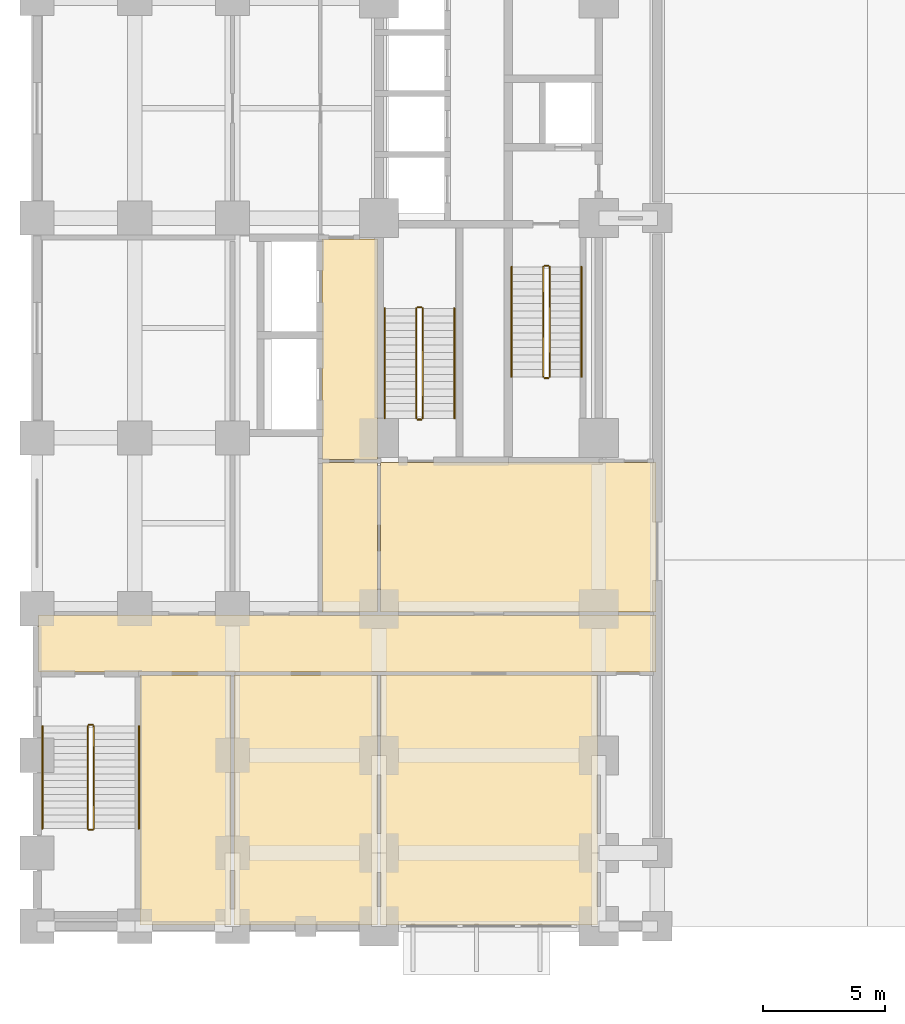
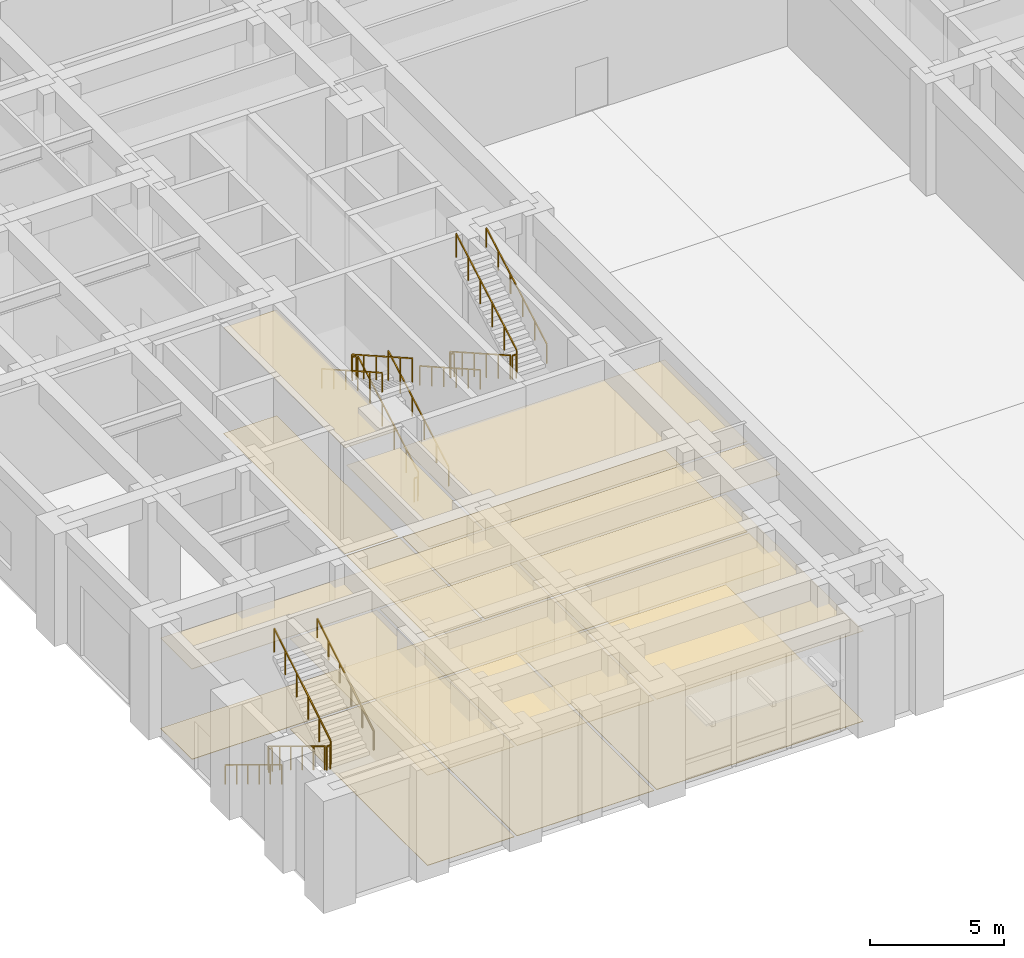
# One storey, part 14 of 20: 18 railings, 14 coverings.
"""IFC4 building model written with IfcOpenShell, lengths in metres."""

from ifc_helpers import new_model, si_unit, direction, frame, origin, origin_2d, place, context, subcontext, project, spatial, polyline, rectangle, outline, extrude, material, layer, layer_set, type_object, element, save


model = new_model("IFC4")

# Units and contexts
model_context = context("Model", 3, precision=1e-05, world=origin(), true_north=direction((0.0, 1.0)))
body_context = subcontext(model_context, "Body", "Model", "MODEL_VIEW")
ifc_project = project(units=[si_unit("LENGTHUNIT", "METRE"), si_unit("AREAUNIT", "SQUARE_METRE"), si_unit("VOLUMEUNIT", "CUBIC_METRE"), si_unit("PLANEANGLEUNIT", "RADIAN"), si_unit("MASSUNIT", "GRAM", prefix="KILO")], contexts=[model_context])

# Site, building, storey
site_placement = place(None, origin())
site = spatial("IfcSite", under=ifc_project, at=site_placement, CompositionType="ELEMENT")
building_placement = place(site_placement, origin())
building = spatial("IfcBuilding", under=site, at=building_placement, Name="Zulmaris Gate Convention Tower", CompositionType="ELEMENT")
storey_placement = place(building_placement, origin())
storey = spatial("IfcBuildingStorey", under=building, at=storey_placement, Name="L00", CompositionType="ELEMENT", Elevation=0.0)

# Coverings
ifc_material_1 = material(Name="Mineral Fibre Acoustic Ceiling Tile")
ifc_layer_1 = layer(ifc_material_1, 0.02001953125, Name="Mineral Fibre Acoustic Ceiling Tile")
ifc_layer_set_1 = layer_set([ifc_layer_1], Name="Mineral Fibre Acoustic Ceiling Tile")
covering_type_1 = type_object("IfcCoveringType", Name="CLG-ACOUSTIC-600", PredefinedType="CEILING", material=ifc_layer_set_1)
covering_1_placement = place(storey_placement, frame((0.0, 0.0, 4.809814453125)))
element("IfcCovering", 1, at=covering_1_placement, inside=storey, type_object=covering_type_1, Name="CLG-L00-R32", PredefinedType="CEILING", context=body_context, shape_type="SweptSolid", body=[
    extrude(outline(polyline([(-22.340087890625, -9.889892578125), (-20.06005859375, -9.889892578125), (-20.06005859375, -0.860107421875), (-22.340087890625, -0.860107421875), (-22.340087890625, -9.889892578125)])), origin(), (0.0, 0.0, 1.0), 0.02001953125),
])
covering_2_placement = place(storey_placement, frame((0.0, 0.0, 4.099853515625)))
element("IfcCovering", 2, at=covering_2_placement, inside=storey, type_object=covering_type_1, Name="CLG-L00-R46", PredefinedType="CEILING", context=body_context, shape_type="SweptSolid", body=[
    extrude(outline(polyline([(-22.340087890625, -16.139892578125), (-20.06005859375, -16.139892578125), (-20.06005859375, -10.010009765625), (-22.340087890625, -10.010009765625), (-22.340087890625, -16.139892578125)])), origin(), (0.0, 0.0, 1.0), 0.02001953125),
])
covering_3_placement = place(storey_placement, frame((0.0, 0.0, 4.099853515625)))
element("IfcCovering", 3, at=covering_3_placement, inside=storey, type_object=covering_type_1, Name="CLG-L00-R48", PredefinedType="CEILING", context=body_context, shape_type="SweptSolid", body=[
    extrude(outline(polyline([(-33.93994140625, -18.590087890625), (-8.659912109375, -18.590087890625), (-8.659912109375, -16.260009765625), (-33.93994140625, -16.260009765625), (-33.93994140625, -18.590087890625)])), origin(), (0.0, 0.0, 1.0), 0.02001953125),
])
covering_4_placement = place(storey_placement, frame((0.0, 0.0, 4.099853515625)))
element("IfcCovering", 4, at=covering_4_placement, inside=storey, type_object=covering_type_1, Name="CLG-L00-R50", PredefinedType="CEILING", context=body_context, shape_type="SweptSolid", body=[
    extrude(outline(polyline([(-19.93994140625, -16.139892578125), (-8.659912109375, -16.139892578125), (-8.659912109375, -10.010009765625), (-19.93994140625, -10.010009765625), (-19.93994140625, -16.139892578125)])), origin(), (0.0, 0.0, 1.0), 0.02001953125),
])
covering_5_placement = place(storey_placement, frame((0.0, 0.0, 4.099853515625)))
element("IfcCovering", 5, at=covering_5_placement, inside=storey, type_object=covering_type_1, Name="CLG-L00-R58", PredefinedType="CEILING", context=body_context, shape_type="SweptSolid", body=[
    extrude(outline(polyline([(-29.7900390625, -28.93994140625), (-26.06005859375, -28.93994140625), (-26.06005859375, -18.7099609375), (-29.7900390625, -18.7099609375), (-29.7900390625, -28.93994140625)])), origin(), (0.0, 0.0, 1.0), 0.02001953125),
])
covering_6_placement = place(storey_placement, frame((0.0, 0.0, 4.099853515625)))
element("IfcCovering", 6, at=covering_6_placement, inside=storey, type_object=covering_type_1, Name="CLG-L00-R59", PredefinedType="CEILING", context=body_context, shape_type="SweptSolid", body=[
    extrude(outline(polyline([(-25.93994140625, -28.93994140625), (-20.06005859375, -28.93994140625), (-20.06005859375, -18.7099609375), (-25.93994140625, -18.7099609375), (-25.93994140625, -28.93994140625)])), origin(), (0.0, 0.0, 1.0), 0.02001953125),
])
covering_7_placement = place(storey_placement, frame((0.0, 0.0, 4.099853515625)))
element("IfcCovering", 7, at=covering_7_placement, inside=storey, type_object=covering_type_1, Name="CLG-L00-R60", PredefinedType="CEILING", context=body_context, shape_type="SweptSolid", body=[
    extrude(outline(polyline([(-19.93994140625, -28.93994140625), (-11.06005859375, -28.93994140625), (-11.06005859375, -18.7099609375), (-19.93994140625, -18.7099609375), (-19.93994140625, -28.93994140625)])), origin(), (0.0, 0.0, 1.0), 0.02001953125),
])
ifc_material_2 = material(Name="Woven Acoustic Wool Carpet Tile")
ifc_layer_2 = layer(ifc_material_2, 0.02001953125, Name="Woven Acoustic Wool Carpet Tile")
ifc_layer_set_2 = layer_set([ifc_layer_2], Name="Woven Acoustic Wool Carpet Tile")
covering_type_2 = type_object("IfcCoveringType", Name="FLR-CARPET-12", PredefinedType="FLOORING", material=ifc_layer_set_2)
covering_8_placement = place(storey_placement, origin())
element("IfcCovering", 8, at=covering_8_placement, inside=storey, type_object=covering_type_2, Name="FLR-L00-R32", PredefinedType="FLOORING", context=body_context, shape_type="SweptSolid", body=[
    extrude(outline(polyline([(-22.340087890625, -9.889892578125), (-20.06005859375, -9.889892578125), (-20.06005859375, -0.860107421875), (-22.340087890625, -0.860107421875), (-22.340087890625, -9.889892578125)])), origin(), (0.0, 0.0, 1.0), 0.02001953125),
])
covering_9_placement = place(storey_placement, origin())
element("IfcCovering", 9, at=covering_9_placement, inside=storey, type_object=covering_type_2, Name="FLR-L00-R46", PredefinedType="FLOORING", context=body_context, shape_type="SweptSolid", body=[
    extrude(outline(polyline([(-22.340087890625, -16.139892578125), (-20.06005859375, -16.139892578125), (-20.06005859375, -10.010009765625), (-22.340087890625, -10.010009765625), (-22.340087890625, -16.139892578125)])), origin(), (0.0, 0.0, 1.0), 0.02001953125),
])
covering_10_placement = place(storey_placement, origin())
element("IfcCovering", 10, at=covering_10_placement, inside=storey, type_object=covering_type_2, Name="FLR-L00-R48", PredefinedType="FLOORING", context=body_context, shape_type="SweptSolid", body=[
    extrude(outline(polyline([(-33.93994140625, -18.590087890625), (-8.659912109375, -18.590087890625), (-8.659912109375, -16.260009765625), (-33.93994140625, -16.260009765625), (-33.93994140625, -18.590087890625)])), origin(), (0.0, 0.0, 1.0), 0.02001953125),
])
covering_11_placement = place(storey_placement, origin())
element("IfcCovering", 11, at=covering_11_placement, inside=storey, type_object=covering_type_2, Name="FLR-L00-R50", PredefinedType="FLOORING", context=body_context, shape_type="SweptSolid", body=[
    extrude(outline(polyline([(-19.93994140625, -16.139892578125), (-8.659912109375, -16.139892578125), (-8.659912109375, -10.010009765625), (-19.93994140625, -10.010009765625), (-19.93994140625, -16.139892578125)])), origin(), (0.0, 0.0, 1.0), 0.02001953125),
])
covering_12_placement = place(storey_placement, origin())
element("IfcCovering", 12, at=covering_12_placement, inside=storey, type_object=covering_type_2, Name="FLR-L00-R58", PredefinedType="FLOORING", context=body_context, shape_type="SweptSolid", body=[
    extrude(outline(polyline([(-29.7900390625, -28.93994140625), (-26.06005859375, -28.93994140625), (-26.06005859375, -18.7099609375), (-29.7900390625, -18.7099609375), (-29.7900390625, -28.93994140625)])), origin(), (0.0, 0.0, 1.0), 0.02001953125),
])
ifc_material_3 = material(Name="Polished Granite Terrazzo Tile", Category="masonry")
ifc_layer_3 = layer(ifc_material_3, 0.02001953125, Name="Polished Granite Terrazzo Tile")
ifc_layer_set_3 = layer_set([ifc_layer_3], Name="Polished Granite Terrazzo Tile")
covering_type_3 = type_object("IfcCoveringType", Name="FLR-TERRAZZO-30", PredefinedType="FLOORING", material=ifc_layer_set_3)
covering_13_placement = place(storey_placement, origin())
element("IfcCovering", 13, at=covering_13_placement, inside=storey, type_object=covering_type_3, Name="FLR-L00-R59", PredefinedType="FLOORING", context=body_context, shape_type="SweptSolid", body=[
    extrude(outline(polyline([(-25.93994140625, -28.93994140625), (-20.06005859375, -28.93994140625), (-20.06005859375, -18.7099609375), (-25.93994140625, -18.7099609375), (-25.93994140625, -28.93994140625)])), origin(), (0.0, 0.0, 1.0), 0.02001953125),
])
covering_14_placement = place(storey_placement, origin())
element("IfcCovering", 14, at=covering_14_placement, inside=storey, type_object=covering_type_3, Name="FLR-L00-R60", PredefinedType="FLOORING", context=body_context, shape_type="SweptSolid", body=[
    extrude(outline(polyline([(-19.93994140625, -28.93994140625), (-11.06005859375, -28.93994140625), (-11.06005859375, -18.7099609375), (-19.93994140625, -18.7099609375), (-19.93994140625, -28.93994140625)])), origin(), (0.0, 0.0, 1.0), 0.02001953125),
])

# Railings
ifc_material_4 = material(Name="Painted Galvanised Steel", Category="steel")
railing_type_1 = type_object("IfcRailingType", Name="RL-STG-1150", PredefinedType="GUARDRAIL", material=ifc_material_4)
railing_1_placement = place(storey_placement, frame((-13.27001953125, -2.0, 0.169921875)))
element("IfcRailing", 15, at=railing_1_placement, inside=storey, type_object=railing_type_1, Name="L00 ST-1 stair guard 1", PredefinedType="GUARDRAIL", context=body_context, shape_type="SweptSolid", body=[
    extrude(rectangle(XDim=0.048095703125, YDim=0.048095703125, at=origin_2d()), frame((0.0, 0.0, 1.076171875), z_axis=(0.0, -0.870018136573, 0.493019717692), x_axis=(1.0, 0.0, 0.0)), (0.0, 0.0, 1.0), 5.17236328125),
    extrude(rectangle(XDim=0.0419921875, YDim=0.0419921875, at=origin_2d()), origin(), (0.0, 0.0, 1.0), 1.052001953125),
    extrude(rectangle(XDim=0.0419921875, YDim=0.0419921875, at=origin_2d()), frame((0.0, -0.89990234375, 0.510009765625)), (0.0, 0.0, 1.0), 1.052001953125),
    extrude(rectangle(XDim=0.0419921875, YDim=0.0419921875, at=origin_2d()), frame((0.0, -1.800048828125, 1.02001953125)), (0.0, 0.0, 1.0), 1.052001953125),
    extrude(rectangle(XDim=0.0419921875, YDim=0.0419921875, at=origin_2d()), frame((0.0, -2.699951171875, 1.530029296875)), (0.0, 0.0, 1.0), 1.052001953125),
    extrude(rectangle(XDim=0.0419921875, YDim=0.0419921875, at=origin_2d()), frame((0.0, -3.60009765625, 2.0400390625)), (0.0, 0.0, 1.0), 1.052001953125),
    extrude(rectangle(XDim=0.0419921875, YDim=0.0419921875, at=origin_2d()), frame((0.0, -4.5, 2.550048828125)), (0.0, 0.0, 1.0), 1.052001953125),
])
railing_2_placement = place(storey_placement, frame((-13.219970703125, -6.550048828125, 2.719970703125)))
element("IfcRailing", 16, at=railing_2_placement, inside=storey, type_object=railing_type_1, Name="L00 ST-1 stair guard 2", PredefinedType="GUARDRAIL", context=body_context, shape_type="SweptSolid", body=[
    extrude(rectangle(XDim=0.048095703125, YDim=0.048095703125, at=origin_2d()), frame((0.0, 0.0, 1.076171875), z_axis=(1.0, 0.0, 0.0), x_axis=(0.0, 1.0, 0.0)), (0.0, 0.0, 1.0), 0.159912109375),
    extrude(rectangle(XDim=0.0419921875, YDim=0.0419921875, at=origin_2d()), origin(), (0.0, 0.0, 1.0), 1.052001953125),
    extrude(rectangle(XDim=0.0419921875, YDim=0.0419921875, at=origin_2d()), frame((0.159912109375, 0.0, 0.0)), (0.0, 0.0, 1.0), 1.052001953125),
])
railing_3_placement = place(storey_placement, frame((-13.010009765625, -6.5, 2.889892578125)))
element("IfcRailing", 17, at=railing_3_placement, inside=storey, type_object=railing_type_1, Name="L00 ST-1 stair guard 3", PredefinedType="GUARDRAIL", context=body_context, shape_type="SweptSolid", body=[
    extrude(rectangle(XDim=0.048095703125, YDim=0.048095703125, at=origin_2d()), frame((0.0, 0.0, 1.076171875), z_axis=(0.0, 0.870018136573, 0.493019717692), x_axis=(-1.0, 0.0, 0.0)), (0.0, 0.0, 1.0), 5.17236328125),
    extrude(rectangle(XDim=0.0419921875, YDim=0.0419921875, at=origin_2d()), origin(), (0.0, 0.0, 1.0), 1.052001953125),
    extrude(rectangle(XDim=0.0419921875, YDim=0.0419921875, at=origin_2d()), frame((0.0, 0.89990234375, 0.510009765625)), (0.0, 0.0, 1.0), 1.052001953125),
    extrude(rectangle(XDim=0.0419921875, YDim=0.0419921875, at=origin_2d()), frame((0.0, 1.800048828125, 1.02001953125)), (0.0, 0.0, 1.0), 1.052001953125),
    extrude(rectangle(XDim=0.0419921875, YDim=0.0419921875, at=origin_2d()), frame((0.0, 2.699951171875, 1.530029296875)), (0.0, 0.0, 1.0), 1.052001953125),
    extrude(rectangle(XDim=0.0419921875, YDim=0.0419921875, at=origin_2d()), frame((0.0, 3.60009765625, 2.0400390625)), (0.0, 0.0, 1.0), 1.052001953125),
    extrude(rectangle(XDim=0.0419921875, YDim=0.0419921875, at=origin_2d()), frame((0.0, 4.5, 2.550048828125)), (0.0, 0.0, 1.0), 1.052001953125),
])
railing_4_placement = place(storey_placement, frame((-13.219970703125, -1.949951171875, 0.0)))
element("IfcRailing", 18, at=railing_4_placement, inside=storey, type_object=railing_type_1, Name="L00 ST-1 stair guard 4", PredefinedType="GUARDRAIL", context=body_context, shape_type="SweptSolid", body=[
    extrude(rectangle(XDim=0.048095703125, YDim=0.048095703125, at=origin_2d()), frame((0.0, 0.0, 1.076171875), z_axis=(1.0, 0.0, 0.0), x_axis=(0.0, 1.0, 0.0)), (0.0, 0.0, 1.0), 0.159912109375),
    extrude(rectangle(XDim=0.0419921875, YDim=0.0419921875, at=origin_2d()), origin(), (0.0, 0.0, 1.0), 1.052001953125),
    extrude(rectangle(XDim=0.0419921875, YDim=0.0419921875, at=origin_2d()), frame((0.159912109375, 0.0, 0.0)), (0.0, 0.0, 1.0), 1.052001953125),
])
railing_5_placement = place(storey_placement, frame((-18.2099609375, -8.199951171875, 0.169921875)))
element("IfcRailing", 19, at=railing_5_placement, inside=storey, type_object=railing_type_1, Name="L00 ST-3 stair guard 1", PredefinedType="GUARDRAIL", context=body_context, shape_type="SweptSolid", body=[
    extrude(rectangle(XDim=0.048095703125, YDim=0.048095703125, at=origin_2d()), frame((0.0, 0.0, 1.076171875), z_axis=(0.0, 0.870018136573, 0.493019717692), x_axis=(-1.0, 0.0, 0.0)), (0.0, 0.0, 1.0), 5.17236328125),
    extrude(rectangle(XDim=0.0419921875, YDim=0.0419921875, at=origin_2d()), origin(), (0.0, 0.0, 1.0), 1.052001953125),
    extrude(rectangle(XDim=0.0419921875, YDim=0.0419921875, at=origin_2d()), frame((0.0, 0.89990234375, 0.510009765625)), (0.0, 0.0, 1.0), 1.052001953125),
    extrude(rectangle(XDim=0.0419921875, YDim=0.0419921875, at=origin_2d()), frame((0.0, 1.800048828125, 1.02001953125)), (0.0, 0.0, 1.0), 1.052001953125),
    extrude(rectangle(XDim=0.0419921875, YDim=0.0419921875, at=origin_2d()), frame((0.0, 2.699951171875, 1.530029296875)), (0.0, 0.0, 1.0), 1.052001953125),
    extrude(rectangle(XDim=0.0419921875, YDim=0.0419921875, at=origin_2d()), frame((0.0, 3.60009765625, 2.0400390625)), (0.0, 0.0, 1.0), 1.052001953125),
    extrude(rectangle(XDim=0.0419921875, YDim=0.0419921875, at=origin_2d()), frame((0.0, 4.5, 2.550048828125)), (0.0, 0.0, 1.0), 1.052001953125),
])
railing_6_placement = place(storey_placement, frame((-18.260009765625, -3.64990234375, 2.719970703125)))
element("IfcRailing", 20, at=railing_6_placement, inside=storey, type_object=railing_type_1, Name="L00 ST-3 stair guard 2", PredefinedType="GUARDRAIL", context=body_context, shape_type="SweptSolid", body=[
    extrude(rectangle(XDim=0.048095703125, YDim=0.048095703125, at=origin_2d()), frame((0.0, 0.0, 1.076171875), z_axis=(-1.0, 0.0, 0.0), x_axis=(0.0, -1.0, 0.0)), (0.0, 0.0, 1.0), 0.159912109375),
    extrude(rectangle(XDim=0.0419921875, YDim=0.0419921875, at=origin_2d()), origin(), (0.0, 0.0, 1.0), 1.052001953125),
    extrude(rectangle(XDim=0.0419921875, YDim=0.0419921875, at=origin_2d()), frame((-0.159912109375, 0.0, 0.0)), (0.0, 0.0, 1.0), 1.052001953125),
])
railing_7_placement = place(storey_placement, frame((-18.469970703125, -3.699951171875, 2.889892578125)))
element("IfcRailing", 21, at=railing_7_placement, inside=storey, type_object=railing_type_1, Name="L00 ST-3 stair guard 3", PredefinedType="GUARDRAIL", context=body_context, shape_type="SweptSolid", body=[
    extrude(rectangle(XDim=0.048095703125, YDim=0.048095703125, at=origin_2d()), frame((0.0, 0.0, 1.076171875), z_axis=(0.0, -0.870018136573, 0.493019717692), x_axis=(1.0, 0.0, 0.0)), (0.0, 0.0, 1.0), 5.17236328125),
    extrude(rectangle(XDim=0.0419921875, YDim=0.0419921875, at=origin_2d()), origin(), (0.0, 0.0, 1.0), 1.052001953125),
    extrude(rectangle(XDim=0.0419921875, YDim=0.0419921875, at=origin_2d()), frame((0.0, -0.89990234375, 0.510009765625)), (0.0, 0.0, 1.0), 1.052001953125),
    extrude(rectangle(XDim=0.0419921875, YDim=0.0419921875, at=origin_2d()), frame((0.0, -1.800048828125, 1.02001953125)), (0.0, 0.0, 1.0), 1.052001953125),
    extrude(rectangle(XDim=0.0419921875, YDim=0.0419921875, at=origin_2d()), frame((0.0, -2.699951171875, 1.530029296875)), (0.0, 0.0, 1.0), 1.052001953125),
    extrude(rectangle(XDim=0.0419921875, YDim=0.0419921875, at=origin_2d()), frame((0.0, -3.60009765625, 2.0400390625)), (0.0, 0.0, 1.0), 1.052001953125),
    extrude(rectangle(XDim=0.0419921875, YDim=0.0419921875, at=origin_2d()), frame((0.0, -4.5, 2.550048828125)), (0.0, 0.0, 1.0), 1.052001953125),
])
railing_8_placement = place(storey_placement, frame((-18.260009765625, -8.25, 0.0)))
element("IfcRailing", 22, at=railing_8_placement, inside=storey, type_object=railing_type_1, Name="L00 ST-3 stair guard 4", PredefinedType="GUARDRAIL", context=body_context, shape_type="SweptSolid", body=[
    extrude(rectangle(XDim=0.048095703125, YDim=0.048095703125, at=origin_2d()), frame((0.0, 0.0, 1.076171875), z_axis=(-1.0, 0.0, 0.0), x_axis=(0.0, -1.0, 0.0)), (0.0, 0.0, 1.0), 0.159912109375),
    extrude(rectangle(XDim=0.0419921875, YDim=0.0419921875, at=origin_2d()), origin(), (0.0, 0.0, 1.0), 1.052001953125),
    extrude(rectangle(XDim=0.0419921875, YDim=0.0419921875, at=origin_2d()), frame((-0.159912109375, 0.0, 0.0)), (0.0, 0.0, 1.0), 1.052001953125),
])
railing_9_placement = place(storey_placement, frame((-31.929931640625, -20.800048828125, 0.169921875)))
element("IfcRailing", 23, at=railing_9_placement, inside=storey, type_object=railing_type_1, Name="L00 ST-4 stair guard 1", PredefinedType="GUARDRAIL", context=body_context, shape_type="SweptSolid", body=[
    extrude(rectangle(XDim=0.048095703125, YDim=0.048095703125, at=origin_2d()), frame((0.0, 0.0, 1.076171875), z_axis=(0.0, -0.854780430106, 0.518989803665), x_axis=(1.0, 0.0, 0.0)), (0.0, 0.0, 1.0), 4.91357421875),
    extrude(rectangle(XDim=0.0419921875, YDim=0.0419921875, at=origin_2d()), origin(), (0.0, 0.0, 1.0), 1.052001953125),
    extrude(rectangle(XDim=0.0419921875, YDim=0.0419921875, at=origin_2d()), frame((0.0, -0.840087890625, 0.510009765625)), (0.0, 0.0, 1.0), 1.052001953125),
    extrude(rectangle(XDim=0.0419921875, YDim=0.0419921875, at=origin_2d()), frame((0.0, -1.679931640625, 1.02001953125)), (0.0, 0.0, 1.0), 1.052001953125),
    extrude(rectangle(XDim=0.0419921875, YDim=0.0419921875, at=origin_2d()), frame((0.0, -2.52001953125, 1.530029296875)), (0.0, 0.0, 1.0), 1.052001953125),
    extrude(rectangle(XDim=0.0419921875, YDim=0.0419921875, at=origin_2d()), frame((0.0, -3.35986328125, 2.0400390625)), (0.0, 0.0, 1.0), 1.052001953125),
    extrude(rectangle(XDim=0.0419921875, YDim=0.0419921875, at=origin_2d()), frame((0.0, -4.199951171875, 2.550048828125)), (0.0, 0.0, 1.0), 1.052001953125),
])
railing_10_placement = place(storey_placement, frame((-31.8798828125, -25.050048828125, 2.719970703125)))
element("IfcRailing", 24, at=railing_10_placement, inside=storey, type_object=railing_type_1, Name="L00 ST-4 stair guard 2", PredefinedType="GUARDRAIL", context=body_context, shape_type="SweptSolid", body=[
    extrude(rectangle(XDim=0.048095703125, YDim=0.048095703125, at=origin_2d()), frame((0.0, 0.0, 1.076171875), z_axis=(1.0, 0.0, 0.0), x_axis=(0.0, 1.0, 0.0)), (0.0, 0.0, 1.0), 0.14990234375),
    extrude(rectangle(XDim=0.0419921875, YDim=0.0419921875, at=origin_2d()), origin(), (0.0, 0.0, 1.0), 1.052001953125),
    extrude(rectangle(XDim=0.0419921875, YDim=0.0419921875, at=origin_2d()), frame((0.14990234375, 0.0, 0.0)), (0.0, 0.0, 1.0), 1.052001953125),
])
railing_11_placement = place(storey_placement, frame((-31.679931640625, -25.0, 2.889892578125)))
element("IfcRailing", 25, at=railing_11_placement, inside=storey, type_object=railing_type_1, Name="L00 ST-4 stair guard 3", PredefinedType="GUARDRAIL", context=body_context, shape_type="SweptSolid", body=[
    extrude(rectangle(XDim=0.048095703125, YDim=0.048095703125, at=origin_2d()), frame((0.0, 0.0, 1.076171875), z_axis=(0.0, 0.854780430106, 0.518989803665), x_axis=(-1.0, 0.0, 0.0)), (0.0, 0.0, 1.0), 4.91357421875),
    extrude(rectangle(XDim=0.0419921875, YDim=0.0419921875, at=origin_2d()), origin(), (0.0, 0.0, 1.0), 1.052001953125),
    extrude(rectangle(XDim=0.0419921875, YDim=0.0419921875, at=origin_2d()), frame((0.0, 0.840087890625, 0.510009765625)), (0.0, 0.0, 1.0), 1.052001953125),
    extrude(rectangle(XDim=0.0419921875, YDim=0.0419921875, at=origin_2d()), frame((0.0, 1.679931640625, 1.02001953125)), (0.0, 0.0, 1.0), 1.052001953125),
    extrude(rectangle(XDim=0.0419921875, YDim=0.0419921875, at=origin_2d()), frame((0.0, 2.52001953125, 1.530029296875)), (0.0, 0.0, 1.0), 1.052001953125),
    extrude(rectangle(XDim=0.0419921875, YDim=0.0419921875, at=origin_2d()), frame((0.0, 3.35986328125, 2.0400390625)), (0.0, 0.0, 1.0), 1.052001953125),
    extrude(rectangle(XDim=0.0419921875, YDim=0.0419921875, at=origin_2d()), frame((0.0, 4.199951171875, 2.550048828125)), (0.0, 0.0, 1.0), 1.052001953125),
])
railing_12_placement = place(storey_placement, frame((-31.8798828125, -20.75, 0.0)))
element("IfcRailing", 26, at=railing_12_placement, inside=storey, type_object=railing_type_1, Name="L00 ST-4 stair guard 4", PredefinedType="GUARDRAIL", context=body_context, shape_type="SweptSolid", body=[
    extrude(rectangle(XDim=0.048095703125, YDim=0.048095703125, at=origin_2d()), frame((0.0, 0.0, 1.076171875), z_axis=(1.0, 0.0, 0.0), x_axis=(0.0, 1.0, 0.0)), (0.0, 0.0, 1.0), 0.14990234375),
    extrude(rectangle(XDim=0.0419921875, YDim=0.0419921875, at=origin_2d()), origin(), (0.0, 0.0, 1.0), 1.052001953125),
    extrude(rectangle(XDim=0.0419921875, YDim=0.0419921875, at=origin_2d()), frame((0.14990234375, 0.0, 0.0)), (0.0, 0.0, 1.0), 1.052001953125),
])
ifc_material_5 = material(Name="Brushed Stainless Steel", Category="steel")
railing_type_2 = type_object("IfcRailingType", Name="RL-STH-900", PredefinedType="HANDRAIL", material=ifc_material_5)
railing_13_placement = place(storey_placement, frame((-14.570068359375, -2.0, 0.169921875)))
element("IfcRailing", 27, at=railing_13_placement, inside=storey, type_object=railing_type_2, Name="L00 ST-1 stair handrail 1", PredefinedType="HANDRAIL", context=body_context, shape_type="SweptSolid", body=[
    extrude(rectangle(XDim=0.048095703125, YDim=0.048095703125, at=origin_2d()), frame((0.0, 0.0, 0.8759765625), z_axis=(0.0, -0.870018136573, 0.493019717692), x_axis=(1.0, 0.0, 0.0)), (0.0, 0.0, 1.0), 5.17236328125),
    extrude(rectangle(XDim=0.0419921875, YDim=0.0419921875, at=origin_2d()), origin(), (0.0, 0.0, 1.0), 0.851806640625),
    extrude(rectangle(XDim=0.0419921875, YDim=0.0419921875, at=origin_2d()), frame((0.0, -0.89990234375, 0.510009765625)), (0.0, 0.0, 1.0), 0.851806640625),
    extrude(rectangle(XDim=0.0419921875, YDim=0.0419921875, at=origin_2d()), frame((0.0, -1.800048828125, 1.02001953125)), (0.0, 0.0, 1.0), 0.851806640625),
    extrude(rectangle(XDim=0.0419921875, YDim=0.0419921875, at=origin_2d()), frame((0.0, -2.699951171875, 1.530029296875)), (0.0, 0.0, 1.0), 0.851806640625),
    extrude(rectangle(XDim=0.0419921875, YDim=0.0419921875, at=origin_2d()), frame((0.0, -3.60009765625, 2.0400390625)), (0.0, 0.0, 1.0), 0.851806640625),
    extrude(rectangle(XDim=0.0419921875, YDim=0.0419921875, at=origin_2d()), frame((0.0, -4.5, 2.550048828125)), (0.0, 0.0, 1.0), 0.851806640625),
])
for number, where, name in (
    (28, (-11.7099609375, -6.5, 2.889892578125), "L00 ST-1 stair handrail 2"),
    (29, (-16.909912109375, -8.199951171875, 0.169921875), "L00 ST-3 stair handrail 1"),
):
    element("IfcRailing", number, at=place(storey_placement, frame(where)), inside=storey, type_object=railing_type_2, Name=name, PredefinedType="HANDRAIL", context=body_context, shape_type="SweptSolid", body=[
        extrude(rectangle(XDim=0.048095703125, YDim=0.048095703125, at=origin_2d()), frame((0.0, 0.0, 0.8759765625), z_axis=(0.0, 0.870018136573, 0.493019717692), x_axis=(-1.0, 0.0, 0.0)), (0.0, 0.0, 1.0), 5.17236328125),
        extrude(rectangle(XDim=0.0419921875, YDim=0.0419921875, at=origin_2d()), origin(), (0.0, 0.0, 1.0), 0.851806640625),
        extrude(rectangle(XDim=0.0419921875, YDim=0.0419921875, at=origin_2d()), frame((0.0, 0.89990234375, 0.510009765625)), (0.0, 0.0, 1.0), 0.851806640625),
        extrude(rectangle(XDim=0.0419921875, YDim=0.0419921875, at=origin_2d()), frame((0.0, 1.800048828125, 1.02001953125)), (0.0, 0.0, 1.0), 0.851806640625),
        extrude(rectangle(XDim=0.0419921875, YDim=0.0419921875, at=origin_2d()), frame((0.0, 2.699951171875, 1.530029296875)), (0.0, 0.0, 1.0), 0.851806640625),
        extrude(rectangle(XDim=0.0419921875, YDim=0.0419921875, at=origin_2d()), frame((0.0, 3.60009765625, 2.0400390625)), (0.0, 0.0, 1.0), 0.851806640625),
        extrude(rectangle(XDim=0.0419921875, YDim=0.0419921875, at=origin_2d()), frame((0.0, 4.5, 2.550048828125)), (0.0, 0.0, 1.0), 0.851806640625),
    ])
railing_14_placement = place(storey_placement, frame((-19.77001953125, -3.699951171875, 2.889892578125)))
element("IfcRailing", 30, at=railing_14_placement, inside=storey, type_object=railing_type_2, Name="L00 ST-3 stair handrail 2", PredefinedType="HANDRAIL", context=body_context, shape_type="SweptSolid", body=[
    extrude(rectangle(XDim=0.048095703125, YDim=0.048095703125, at=origin_2d()), frame((0.0, 0.0, 0.8759765625), z_axis=(0.0, -0.870018136573, 0.493019717692), x_axis=(1.0, 0.0, 0.0)), (0.0, 0.0, 1.0), 5.17236328125),
    extrude(rectangle(XDim=0.0419921875, YDim=0.0419921875, at=origin_2d()), origin(), (0.0, 0.0, 1.0), 0.851806640625),
    extrude(rectangle(XDim=0.0419921875, YDim=0.0419921875, at=origin_2d()), frame((0.0, -0.89990234375, 0.510009765625)), (0.0, 0.0, 1.0), 0.851806640625),
    extrude(rectangle(XDim=0.0419921875, YDim=0.0419921875, at=origin_2d()), frame((0.0, -1.800048828125, 1.02001953125)), (0.0, 0.0, 1.0), 0.851806640625),
    extrude(rectangle(XDim=0.0419921875, YDim=0.0419921875, at=origin_2d()), frame((0.0, -2.699951171875, 1.530029296875)), (0.0, 0.0, 1.0), 0.851806640625),
    extrude(rectangle(XDim=0.0419921875, YDim=0.0419921875, at=origin_2d()), frame((0.0, -3.60009765625, 2.0400390625)), (0.0, 0.0, 1.0), 0.851806640625),
    extrude(rectangle(XDim=0.0419921875, YDim=0.0419921875, at=origin_2d()), frame((0.0, -4.5, 2.550048828125)), (0.0, 0.0, 1.0), 0.851806640625),
])
railing_15_placement = place(storey_placement, frame((-33.780029296875, -20.800048828125, 0.169921875)))
element("IfcRailing", 31, at=railing_15_placement, inside=storey, type_object=railing_type_2, Name="L00 ST-4 stair handrail 1", PredefinedType="HANDRAIL", context=body_context, shape_type="SweptSolid", body=[
    extrude(rectangle(XDim=0.048095703125, YDim=0.048095703125, at=origin_2d()), frame((0.0, 0.0, 0.8759765625), z_axis=(0.0, -0.854780430106, 0.518989803665), x_axis=(1.0, 0.0, 0.0)), (0.0, 0.0, 1.0), 4.91357421875),
    extrude(rectangle(XDim=0.0419921875, YDim=0.0419921875, at=origin_2d()), origin(), (0.0, 0.0, 1.0), 0.851806640625),
    extrude(rectangle(XDim=0.0419921875, YDim=0.0419921875, at=origin_2d()), frame((0.0, -0.840087890625, 0.510009765625)), (0.0, 0.0, 1.0), 0.851806640625),
    extrude(rectangle(XDim=0.0419921875, YDim=0.0419921875, at=origin_2d()), frame((0.0, -1.679931640625, 1.02001953125)), (0.0, 0.0, 1.0), 0.851806640625),
    extrude(rectangle(XDim=0.0419921875, YDim=0.0419921875, at=origin_2d()), frame((0.0, -2.52001953125, 1.530029296875)), (0.0, 0.0, 1.0), 0.851806640625),
    extrude(rectangle(XDim=0.0419921875, YDim=0.0419921875, at=origin_2d()), frame((0.0, -3.35986328125, 2.0400390625)), (0.0, 0.0, 1.0), 0.851806640625),
    extrude(rectangle(XDim=0.0419921875, YDim=0.0419921875, at=origin_2d()), frame((0.0, -4.199951171875, 2.550048828125)), (0.0, 0.0, 1.0), 0.851806640625),
])
railing_16_placement = place(storey_placement, frame((-29.830078125, -25.0, 2.889892578125)))
element("IfcRailing", 32, at=railing_16_placement, inside=storey, type_object=railing_type_2, Name="L00 ST-4 stair handrail 2", PredefinedType="HANDRAIL", context=body_context, shape_type="SweptSolid", body=[
    extrude(rectangle(XDim=0.048095703125, YDim=0.048095703125, at=origin_2d()), frame((0.0, 0.0, 0.8759765625), z_axis=(0.0, 0.854780430106, 0.518989803665), x_axis=(-1.0, 0.0, 0.0)), (0.0, 0.0, 1.0), 4.91357421875),
    extrude(rectangle(XDim=0.0419921875, YDim=0.0419921875, at=origin_2d()), origin(), (0.0, 0.0, 1.0), 0.851806640625),
    extrude(rectangle(XDim=0.0419921875, YDim=0.0419921875, at=origin_2d()), frame((0.0, 0.840087890625, 0.510009765625)), (0.0, 0.0, 1.0), 0.851806640625),
    extrude(rectangle(XDim=0.0419921875, YDim=0.0419921875, at=origin_2d()), frame((0.0, 1.679931640625, 1.02001953125)), (0.0, 0.0, 1.0), 0.851806640625),
    extrude(rectangle(XDim=0.0419921875, YDim=0.0419921875, at=origin_2d()), frame((0.0, 2.52001953125, 1.530029296875)), (0.0, 0.0, 1.0), 0.851806640625),
    extrude(rectangle(XDim=0.0419921875, YDim=0.0419921875, at=origin_2d()), frame((0.0, 3.35986328125, 2.0400390625)), (0.0, 0.0, 1.0), 0.851806640625),
    extrude(rectangle(XDim=0.0419921875, YDim=0.0419921875, at=origin_2d()), frame((0.0, 4.199951171875, 2.550048828125)), (0.0, 0.0, 1.0), 0.851806640625),
])

save(model, "model.ifc")
